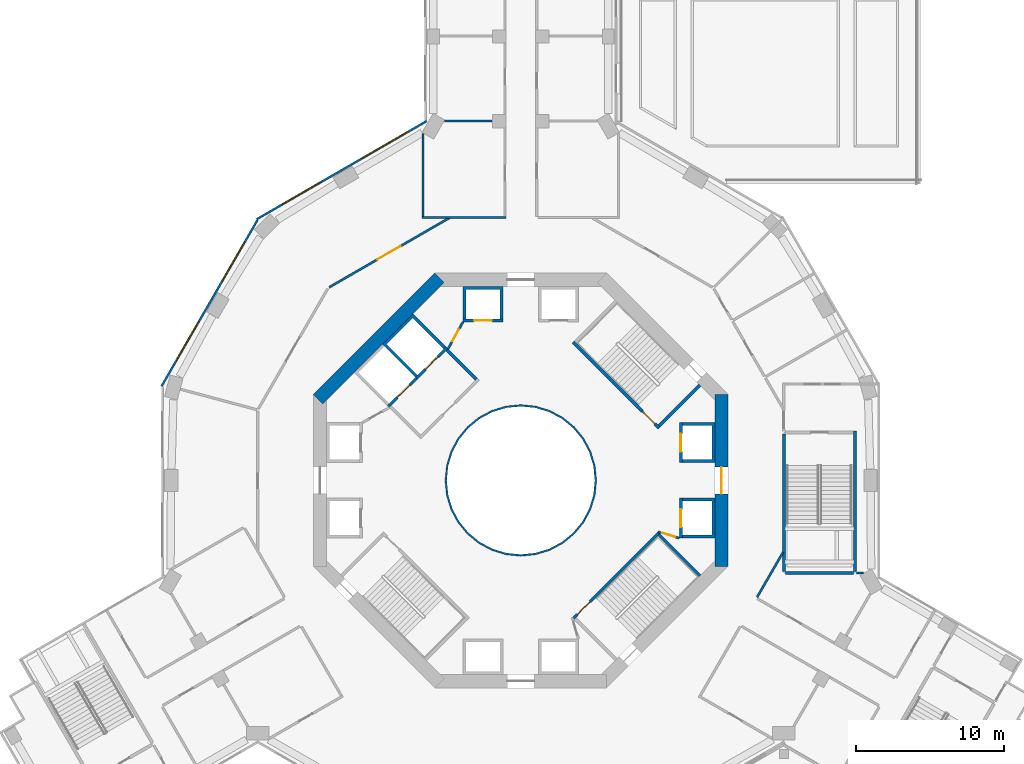
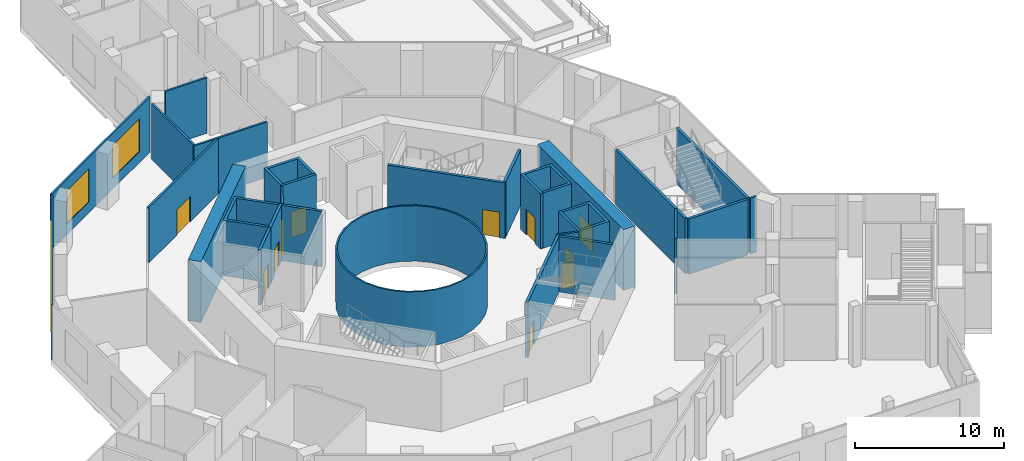
# One storey, part 6 of 24: 30 walls, 11 doors, 4 windows, 15 openings.
"""IFC4 building model written with IfcOpenShell, lengths in metres."""

from ifc_helpers import new_model, si_unit, direction, frame, frame_2d, origin, place, context, subcontext, project, spatial, polyline, rectangle, outline, extrude, material, layer, layer_set, type_object, element, fill, save


model = new_model("IFC4")

# Units and contexts
model_context = context("Model", 3, precision=1e-05, world=origin(), true_north=direction((0.0, 1.0)))
body_context = subcontext(model_context, "Body", "Model", "MODEL_VIEW")
ifc_project = project(units=[si_unit("LENGTHUNIT", "METRE"), si_unit("AREAUNIT", "SQUARE_METRE"), si_unit("VOLUMEUNIT", "CUBIC_METRE"), si_unit("PLANEANGLEUNIT", "RADIAN"), si_unit("MASSUNIT", "GRAM", prefix="KILO")], contexts=[model_context])

# Site, building, storey
site_placement = place(None, origin())
site = spatial("IfcSite", under=ifc_project, at=site_placement, CompositionType="ELEMENT")
building_placement = place(site_placement, origin())
building = spatial("IfcBuilding", under=site, at=building_placement, Name="Verdalira Terraces Hotel", CompositionType="ELEMENT")
storey_placement = place(building_placement, frame((0.0, 0.0, 14.0)))
storey = spatial("IfcBuildingStorey", under=building, at=storey_placement, Name="L02", CompositionType="ELEMENT", Elevation=14.0)

# Walls
ifc_material_1 = material(Name="Fire-resisting glass EI 180", Category="glass")
ifc_layer_1 = layer(ifc_material_1, 0.1201171875)
ifc_layer_set_1 = layer_set([ifc_layer_1], Name="Atrium fire screen 120 mm")
wall_type_1 = type_object("IfcWallType", Name="Atrium fire screen 120 mm", PredefinedType="SOLIDWALL", material=ifc_layer_set_1)
wall_1_placement = place(storey_placement, origin())
element("IfcWall", 1, at=wall_1_placement, inside=storey, type_object=wall_type_1, Name="Atrium fire screen", PredefinedType="SOLIDWALL", context=body_context, shape_type="SweptSolid", body=[
    extrude(outline(polyline([(5.021484, -0.998779), (4.730225, -1.959229), (4.25708, -2.844482), (3.620361, -3.620361), (2.844482, -4.25708), (1.959229, -4.730225), (0.998779, -5.021484), (0.0, -5.120117), (-0.998779, -5.021484), (-1.959229, -4.730225), (-2.844482, -4.25708), (-3.620361, -3.620361), (-4.25708, -2.844482), (-4.730225, -1.959229), (-5.021484, -0.998779), (-5.120117, 0.0), (-5.021484, 0.998779), (-4.730225, 1.959229), (-4.25708, 2.844482), (-3.620361, 3.620361), (-2.844482, 4.25708), (-1.959229, 4.730225), (-0.998779, 5.021484), (0.0, 5.120117), (0.998779, 5.021484), (1.959229, 4.730225), (2.844482, 4.25708), (3.620361, 3.620361), (4.25708, 2.844482), (4.730225, 1.959229), (5.021484, 0.998779), (5.120117, 0.0), (5.021484, -0.998779)]), holes=[polyline([(4.903809, 0.975586), (4.619385, 1.91333), (4.157227, 2.777832), (3.5354, 3.5354), (2.777832, 4.157227), (1.91333, 4.619385), (0.975586, 4.903809), (0.0, 5.0), (-0.975586, 4.903809), (-1.91333, 4.619385), (-2.777832, 4.157227), (-3.5354, 3.5354), (-4.157227, 2.777832), (-4.619385, 1.91333), (-4.903809, 0.975586), (-5.0, 0.0), (-4.903809, -0.975586), (-4.619385, -1.91333), (-4.157227, -2.777832), (-3.5354, -3.5354), (-2.777832, -4.157227), (-1.91333, -4.619385), (-0.975586, -4.903809), (0.0, -5.0), (0.975586, -4.903809), (1.91333, -4.619385), (2.777832, -4.157227), (3.5354, -3.5354), (4.157227, -2.777832), (4.619385, -1.91333), (4.903809, -0.975586), (5.0, 0.0), (4.903809, 0.975586)])]), origin(), (0.0, 0.0, 1.0), 4.550049),
])
ifc_material_2 = material(Name="Concrete C50", Category="concrete")
ifc_layer_2 = layer(ifc_material_2, 0.199951171875)
ifc_layer_set_2 = layer_set([ifc_layer_2], Name="Core RC wall 200 C50")
wall_type_2 = type_object("IfcWallType", Name="Core RC wall 200 C50", PredefinedType="SOLIDWALL", material=ifc_layer_set_2)
wall_2_placement = place(storey_placement, origin())
element("IfcWall", 2, at=wall_2_placement, inside=storey, type_object=wall_type_2, Name="L02 shaft wall E1", PredefinedType="SOLIDWALL", context=body_context, shape_type="SweptSolid", body=[
    extrude(outline(polyline([(13.100098, -3.899902), (10.899902, -3.899902), (10.899902, -3.699951), (12.899902, -3.699951), (12.899902, -1.399902), (10.899902, -1.399902), (10.899902, -1.199951), (13.100098, -1.199951), (13.100098, -3.899902)])), origin(), (0.0, 0.0, 1.0), 4.550049),
])

# Wall, opening, door
wall_3_placement = place(storey_placement, frame((10.800049, -1.199951, 0.0), z_axis=(0.0, 0.0, 1.0), x_axis=(0.0, -1.0, 0.0)))
wall_3 = element("IfcWall", 3, at=wall_3_placement, inside=storey, type_object=wall_type_2, Name="L02 shaft front wall E1", PredefinedType="SOLIDWALL", context=body_context, shape_type="SweptSolid", body=[
    extrude(rectangle(XDim=2.699951, YDim=0.199951, at=frame_2d((1.350098, 0.0))), origin(), (0.0, 0.0, 1.0), 4.550049),
])
opening_1_placement = place(wall_3_placement, frame((0.75, 0.0, 0.0)))
opening_1 = element("IfcOpeningElement", 4, at=opening_1_placement, cuts=wall_3, Name="Opening LD-L02-801", PredefinedType="OPENING", context=body_context, shape_type="SweptSolid", body=[
    extrude(rectangle(XDim=1.199951, YDim=2.100098, at=frame_2d((0.600098, 1.050049))), frame((0.0, 0.109863, 0.0), z_axis=(0.0, -1.0, 0.0), x_axis=(1.0, 0.0, 0.0)), (0.0, 0.0, 1.0), 0.219971),
])
ifc_material_3 = material(Name="Stainless steel", Category="steel")
door_type_1 = type_object("IfcDoorType", Name="Landing door 1200 x 2100", OperationType="NOTDEFINED", PredefinedType="DOOR", material=ifc_material_3)
door_1_placement = place(opening_1_placement, origin())
door_1 = element("IfcDoor", 5, at=door_1_placement, inside=storey, type_object=door_type_1, Name="Lift landing door LR1 L02", OperationType="DOUBLE_DOOR_SLIDING", OverallHeight=2.10009765625, OverallWidth=1.199951171875, PredefinedType="DOOR", context=body_context, shape_type="SweptSolid", body=[
    extrude(rectangle(XDim=1.199951, YDim=2.100098, at=frame_2d((0.600098, 1.050049))), frame((0.0, 0.024902, 0.0), z_axis=(0.0, -1.0, 0.0), x_axis=(1.0, 0.0, 0.0)), (0.0, 0.0, 1.0), 0.050049),
])
fill(opening_1, door_1)

# Wall
wall_4_placement = place(storey_placement, origin())
element("IfcWall", 6, at=wall_4_placement, inside=storey, type_object=wall_type_2, Name="L02 shaft wall E2", PredefinedType="SOLIDWALL", context=body_context, shape_type="SweptSolid", body=[
    extrude(outline(polyline([(13.100098, 3.899902), (13.100098, 1.199951), (10.899902, 1.199951), (10.899902, 1.399902), (12.899902, 1.399902), (12.899902, 3.699951), (10.899902, 3.699951), (10.899902, 3.899902), (13.100098, 3.899902)])), origin(), (0.0, 0.0, 1.0), 4.550049),
])

# Wall, opening, door
wall_5_placement = place(storey_placement, frame((10.800049, 1.199951, 0.0), z_axis=(0.0, 0.0, 1.0), x_axis=(0.0, 1.0, 0.0)))
wall_5 = element("IfcWall", 7, at=wall_5_placement, inside=storey, type_object=wall_type_2, Name="L02 shaft front wall E2", PredefinedType="SOLIDWALL", context=body_context, shape_type="SweptSolid", body=[
    extrude(rectangle(XDim=2.699951, YDim=0.199951, at=frame_2d((1.350098, 0.0))), origin(), (0.0, 0.0, 1.0), 4.550049),
])
opening_2_placement = place(wall_5_placement, frame((0.75, 0.0, 0.0)))
opening_2 = element("IfcOpeningElement", 8, at=opening_2_placement, cuts=wall_5, Name="Opening LD-L02-802", PredefinedType="OPENING", context=body_context, shape_type="SweptSolid", body=[
    extrude(rectangle(XDim=1.199951, YDim=2.100098, at=frame_2d((0.600098, 1.050049))), frame((0.0, 0.109863, 0.0), z_axis=(0.0, -1.0, 0.0), x_axis=(1.0, 0.0, 0.0)), (0.0, 0.0, 1.0), 0.219971),
])
door_2_placement = place(opening_2_placement, origin())
door_2 = element("IfcDoor", 9, at=door_2_placement, inside=storey, type_object=door_type_1, Name="Lift landing door LR2 L02", OperationType="DOUBLE_DOOR_SLIDING", OverallHeight=2.10009765625, OverallWidth=1.199951171875, PredefinedType="DOOR", context=body_context, shape_type="SweptSolid", body=[
    extrude(rectangle(XDim=1.199951, YDim=2.100098, at=frame_2d((0.600098, 1.050049))), frame((0.0, 0.024902, 0.0), z_axis=(0.0, -1.0, 0.0), x_axis=(1.0, 0.0, 0.0)), (0.0, 0.0, 1.0), 0.050049),
])
fill(opening_2, door_2)

# Wall
wall_6_placement = place(storey_placement, origin())
element("IfcWall", 10, at=wall_6_placement, inside=storey, type_object=wall_type_2, Name="L02 shaft wall N2", PredefinedType="SOLIDWALL", context=body_context, shape_type="SweptSolid", body=[
    extrude(outline(polyline([(-3.899902, 10.899902), (-3.899902, 13.100098), (-1.199951, 13.100098), (-1.199951, 10.899902), (-1.399902, 10.899902), (-1.399902, 12.899902), (-3.699951, 12.899902), (-3.699951, 10.899902), (-3.899902, 10.899902)])), origin(), (0.0, 0.0, 1.0), 4.550049),
])

# Wall, opening, door
wall_7_placement = place(storey_placement, frame((-1.199951, 10.800049, 0.0), z_axis=(0.0, 0.0, 1.0), x_axis=(-1.0, 0.0, 0.0)))
wall_7 = element("IfcWall", 11, at=wall_7_placement, inside=storey, type_object=wall_type_2, Name="L02 shaft front wall N2", PredefinedType="SOLIDWALL", context=body_context, shape_type="SweptSolid", body=[
    extrude(rectangle(XDim=2.699951, YDim=0.199951, at=frame_2d((1.350098, 0.0))), origin(), (0.0, 0.0, 1.0), 4.550049),
])
opening_3_placement = place(wall_7_placement, frame((0.75, 0.0, 0.0)))
opening_3 = element("IfcOpeningElement", 12, at=opening_3_placement, cuts=wall_7, Name="Opening LD-L02-804", PredefinedType="OPENING", context=body_context, shape_type="SweptSolid", body=[
    extrude(rectangle(XDim=1.199951, YDim=2.100098, at=frame_2d((0.600098, 1.050049))), frame((0.0, 0.109863, 0.0), z_axis=(0.0, -1.0, 0.0), x_axis=(1.0, 0.0, 0.0)), (0.0, 0.0, 1.0), 0.219971),
])
door_3_placement = place(opening_3_placement, origin())
door_3 = element("IfcDoor", 13, at=door_3_placement, inside=storey, type_object=door_type_1, Name="Lift landing door LR4 L02", OperationType="DOUBLE_DOOR_SLIDING", OverallHeight=2.10009765625, OverallWidth=1.199951171875, PredefinedType="DOOR", context=body_context, shape_type="SweptSolid", body=[
    extrude(rectangle(XDim=1.199951, YDim=2.100098, at=frame_2d((0.600098, 1.050049))), frame((0.0, 0.024902, 0.0), z_axis=(0.0, -1.0, 0.0), x_axis=(1.0, 0.0, 0.0)), (0.0, 0.0, 1.0), 0.050049),
])
fill(opening_3, door_3)

# Wall
wall_8_placement = place(storey_placement, origin())
element("IfcWall", 14, at=wall_8_placement, inside=storey, type_object=wall_type_2, Name="L02 shaft wall F1", PredefinedType="SOLIDWALL", context=body_context, shape_type="SweptSolid", body=[
    extrude(outline(polyline([(-9.33374, 9.192383), (-7.283203, 11.24292), (-5.055908, 9.015625), (-5.197266, 8.874268), (-7.283203, 10.960205), (-9.051025, 9.192383), (-6.965088, 7.106445), (-7.106445, 6.965088), (-9.33374, 9.192383)])), origin(), (0.0, 0.0, 1.0), 4.550049),
])

# Wall, opening, door
wall_9_placement = place(storey_placement, frame((-4.985107, 8.944824, 0.0), z_axis=(0.0, 0.0, 1.0), x_axis=(-0.707106781, -0.707106781, 0.0)))
wall_9 = element("IfcWall", 15, at=wall_9_placement, inside=storey, type_object=wall_type_2, Name="L02 shaft front wall F1", PredefinedType="SOLIDWALL", context=body_context, shape_type="SweptSolid", body=[
    extrude(rectangle(XDim=2.899902, YDim=0.199951, at=frame_2d((1.449951, 0.0))), origin(), (0.0, 0.0, 1.0), 4.550049),
])
opening_4_placement = place(wall_9_placement, frame((0.850098, 0.0, 0.0)))
opening_4 = element("IfcOpeningElement", 16, at=opening_4_placement, cuts=wall_9, Name="Opening LD-L02-807", PredefinedType="OPENING", context=body_context, shape_type="SweptSolid", body=[
    extrude(rectangle(XDim=1.199951, YDim=2.100098, at=frame_2d((0.600098, 1.050049))), frame((0.0, 0.109863, 0.0), z_axis=(0.0, -1.0, 0.0), x_axis=(1.0, 0.0, 0.0)), (0.0, 0.0, 1.0), 0.219971),
])
door_4_placement = place(opening_4_placement, origin())
door_4 = element("IfcDoor", 17, at=door_4_placement, inside=storey, type_object=door_type_1, Name="Lift landing door LF11 L02", OperationType="DOUBLE_DOOR_SLIDING", OverallHeight=2.10009765625, OverallWidth=1.199951171875, PredefinedType="DOOR", context=body_context, shape_type="SweptSolid", body=[
    extrude(rectangle(XDim=1.199951, YDim=2.100098, at=frame_2d((0.600098, 1.050049))), frame((0.0, 0.024902, 0.0), z_axis=(0.0, -1.0, 0.0), x_axis=(1.0, 0.0, 0.0)), (0.0, 0.0, 1.0), 0.050049),
])
fill(opening_4, door_4)

wall_10_placement = place(storey_placement, frame((-7.035645, 6.894287, 0.0), z_axis=(0.0, 0.0, 1.0), x_axis=(-0.707106781, -0.707106781, 0.0)))
wall_10 = element("IfcWall", 18, at=wall_10_placement, inside=storey, type_object=wall_type_2, Name="L02 shaft front wall F2", PredefinedType="SOLIDWALL", context=body_context, shape_type="SweptSolid", body=[
    extrude(rectangle(XDim=2.699951, YDim=0.199951, at=frame_2d((1.350098, 0.0))), origin(), (0.0, 0.0, 1.0), 4.550049),
])
opening_5_placement = place(wall_10_placement, frame((0.649902, 0.0, 0.0)))
opening_5 = element("IfcOpeningElement", 19, at=opening_5_placement, cuts=wall_10, Name="Opening LD-L02-808", PredefinedType="OPENING", context=body_context, shape_type="SweptSolid", body=[
    extrude(rectangle(XDim=1.199951, YDim=2.100098, at=frame_2d((0.600098, 1.050049))), frame((0.0, 0.109863, 0.0), z_axis=(0.0, -1.0, 0.0), x_axis=(1.0, 0.0, 0.0)), (0.0, 0.0, 1.0), 0.219971),
])
door_5_placement = place(opening_5_placement, origin())
door_5 = element("IfcDoor", 20, at=door_5_placement, inside=storey, type_object=door_type_1, Name="Lift landing door LF12 L02", OperationType="DOUBLE_DOOR_SLIDING", OverallHeight=2.10009765625, OverallWidth=1.199951171875, PredefinedType="DOOR", context=body_context, shape_type="SweptSolid", body=[
    extrude(rectangle(XDim=1.199951, YDim=2.100098, at=frame_2d((0.600098, 1.050049))), frame((0.0, 0.024902, 0.0), z_axis=(0.0, -1.0, 0.0), x_axis=(1.0, 0.0, 0.0)), (0.0, 0.0, 1.0), 0.050049),
])
fill(opening_5, door_5)

wall_11_placement = place(storey_placement, frame((3.5354, 9.33374, 0.0), z_axis=(0.0, 0.0, 1.0), x_axis=(0.707106781, -0.707106781, 0.0)))
wall_11 = element("IfcWall", 21, at=wall_11_placement, inside=storey, type_object=wall_type_2, Name="L02 stair ST1 front wall", PredefinedType="SOLIDWALL", context=body_context, shape_type="SweptSolid", body=[
    extrude(rectangle(XDim=8.200195, YDim=0.199951, at=frame_2d((4.100098, 0.0))), origin(), (0.0, 0.0, 1.0), 4.550049),
])
opening_6_placement = place(wall_11_placement, frame((6.600098, 0.0, 0.0)))
opening_6 = element("IfcOpeningElement", 22, at=opening_6_placement, cuts=wall_11, Name="Opening L02-809", PredefinedType="OPENING", context=body_context, shape_type="SweptSolid", body=[
    extrude(rectangle(XDim=1.199951, YDim=2.100098, at=frame_2d((0.600098, 1.050049))), frame((0.0, 0.109863, 0.0), z_axis=(0.0, -1.0, 0.0), x_axis=(1.0, 0.0, 0.0)), (0.0, 0.0, 1.0), 0.219971),
])
ifc_material_4 = material(Name="Steel fire door", Category="steel")
door_type_2 = type_object("IfcDoorType", Name="Stair door 1200 x 2100", OperationType="NOTDEFINED", PredefinedType="DOOR", material=ifc_material_4)
door_6_placement = place(opening_6_placement, origin())
door_6 = element("IfcDoor", 23, at=door_6_placement, inside=storey, type_object=door_type_2, Name="Stair door ST1 L02", OperationType="SINGLE_SWING_RIGHT", OverallHeight=2.10009765625, OverallWidth=1.199951171875, PredefinedType="DOOR", context=body_context, shape_type="SweptSolid", body=[
    extrude(rectangle(XDim=1.199951, YDim=2.100098, at=frame_2d((0.600098, 1.050049))), frame((0.0, 0.024902, 0.0), z_axis=(0.0, -1.0, 0.0), x_axis=(1.0, 0.0, 0.0)), (0.0, 0.0, 1.0), 0.050049),
])
fill(opening_6, door_6)

# Wall
wall_12_placement = place(storey_placement, frame((9.33374, 3.677002, 0.0), z_axis=(0.0, 0.0, 1.0), x_axis=(0.707106781, 0.707106781, 0.0)))
element("IfcWall", 24, at=wall_12_placement, inside=storey, type_object=wall_type_2, Name="L02 stair ST1 end wall 1", PredefinedType="SOLIDWALL", context=body_context, shape_type="SweptSolid", body=[
    extrude(rectangle(XDim=3.900146, YDim=0.199951, at=frame_2d((1.950195, 0.0))), origin(), (0.0, 0.0, 1.0), 4.550049),
])

# Wall, opening, door
wall_13_placement = place(storey_placement, frame((9.33374, -3.5354, 0.0), z_axis=(0.0, 0.0, 1.0), x_axis=(-0.707106781, -0.707106781, 0.0)))
wall_13 = element("IfcWall", 25, at=wall_13_placement, inside=storey, type_object=wall_type_2, Name="L02 stair ST3 front wall", PredefinedType="SOLIDWALL", context=body_context, shape_type="SweptSolid", body=[
    extrude(rectangle(XDim=8.200195, YDim=0.199951, at=frame_2d((4.100098, 0.0))), origin(), (0.0, 0.0, 1.0), 4.550049),
])
opening_7_placement = place(wall_13_placement, frame((6.600098, 0.0, 0.0)))
opening_7 = element("IfcOpeningElement", 26, at=opening_7_placement, cuts=wall_13, Name="Opening L02-811", PredefinedType="OPENING", context=body_context, shape_type="SweptSolid", body=[
    extrude(rectangle(XDim=1.199951, YDim=2.100098, at=frame_2d((0.600098, 1.050049))), frame((0.0, 0.109863, 0.0), z_axis=(0.0, -1.0, 0.0), x_axis=(1.0, 0.0, 0.0)), (0.0, 0.0, 1.0), 0.219971),
])
door_7_placement = place(opening_7_placement, origin())
door_7 = element("IfcDoor", 27, at=door_7_placement, inside=storey, type_object=door_type_2, Name="Stair door ST3 L02", OperationType="SINGLE_SWING_RIGHT", OverallHeight=2.10009765625, OverallWidth=1.199951171875, PredefinedType="DOOR", context=body_context, shape_type="SweptSolid", body=[
    extrude(rectangle(XDim=1.199951, YDim=2.100098, at=frame_2d((0.600098, 1.050049))), frame((0.0, 0.024902, 0.0), z_axis=(0.0, -1.0, 0.0), x_axis=(1.0, 0.0, 0.0)), (0.0, 0.0, 1.0), 0.050049),
])
fill(opening_7, door_7)

# Walls
wall_14_placement = place(storey_placement, frame((9.33374, -3.677002, 0.0), z_axis=(0.0, 0.0, 1.0), x_axis=(0.707106781, -0.707106781, 0.0)))
element("IfcWall", 28, at=wall_14_placement, inside=storey, type_object=wall_type_2, Name="L02 stair ST3 end wall 2", PredefinedType="SOLIDWALL", context=body_context, shape_type="SweptSolid", body=[
    extrude(rectangle(XDim=3.900146, YDim=0.199951, at=frame_2d((1.950195, 0.0))), origin(), (0.0, 0.0, 1.0), 4.550049),
])
wall_15_placement = place(storey_placement, frame((-3.005127, 6.823486, 0.0), z_axis=(0.0, 0.0, 1.0), x_axis=(-0.707106781, 0.707106781, 0.0)))
element("IfcWall", 29, at=wall_15_placement, inside=storey, type_object=wall_type_2, Name="L02 fire lobby wall", PredefinedType="SOLIDWALL", context=body_context, shape_type="SweptSolid", body=[
    extrude(rectangle(XDim=2.800049, YDim=0.199951, at=frame_2d((1.399902, 0.0))), origin(), (0.0, 0.0, 1.0), 4.550049),
])

# Wall, opening, door
ifc_material_5 = material(Name="Gypsum board partition")
ifc_layer_3 = layer(ifc_material_5, 0.14990234375)
ifc_layer_set_3 = layer_set([ifc_layer_3], Name="Core partition 150 mm")
wall_type_3 = type_object("IfcWallType", Name="Core partition 150 mm", PredefinedType="PARTITIONING", material=ifc_layer_set_3)
wall_16_placement = place(storey_placement, frame((-3.899902, 10.699951, 0.0), z_axis=(0.0, 0.0, 1.0), x_axis=(-0.485692555, -0.874129705, 0.0)))
wall_16 = element("IfcWall", 30, at=wall_16_placement, inside=storey, type_object=wall_type_3, Name="Room partition L02", PredefinedType="PARTITIONING", context=body_context, shape_type="SweptSolid", body=[
    extrude(rectangle(XDim=2.088623, YDim=0.149902, at=frame_2d((1.044434, 0.0))), origin(), (0.0, 0.0, 1.0), 4.550049),
])
opening_8_placement = place(wall_16_placement, frame((0.594238, 0.0, 0.0)))
opening_8 = element("IfcOpeningElement", 31, at=opening_8_placement, cuts=wall_16, Name="Opening L02-820", PredefinedType="OPENING", context=body_context, shape_type="SweptSolid", body=[
    extrude(rectangle(XDim=0.899902, YDim=2.100098, at=frame_2d((0.449951, 1.050049))), frame((0.0, 0.084961, 0.0), z_axis=(0.0, -1.0, 0.0), x_axis=(1.0, 0.0, 0.0)), (0.0, 0.0, 1.0), 0.169922),
])
ifc_material_6 = material(Name="Steel fire door", Category="steel")
door_type_3 = type_object("IfcDoorType", Name="Core room door 900 x 2100", OperationType="NOTDEFINED", PredefinedType="DOOR", material=ifc_material_6)
door_8_placement = place(opening_8_placement, origin())
door_8 = element("IfcDoor", 32, at=door_8_placement, inside=storey, type_object=door_type_3, Name="Door L02 room2", OperationType="SINGLE_SWING_LEFT", OverallHeight=2.10009765625, OverallWidth=0.89990234375, PredefinedType="DOOR", context=body_context, shape_type="SweptSolid", body=[
    extrude(rectangle(XDim=0.899902, YDim=2.100098, at=frame_2d((0.449951, 1.050049))), frame((0.0, 0.024902, 0.0), z_axis=(0.0, -1.0, 0.0), x_axis=(1.0, 0.0, 0.0)), (0.0, 0.0, 1.0), 0.050049),
])
fill(opening_8, door_8)

wall_17_placement = place(storey_placement, frame((9.263184, -3.464844, 0.0), z_axis=(0.0, 0.0, 1.0), x_axis=(0.957084567, -0.289808785, 0.0)))
wall_17 = element("IfcWall", 33, at=wall_17_placement, inside=storey, type_object=wall_type_3, Name="Room partition L02", PredefinedType="PARTITIONING", context=body_context, shape_type="SweptSolid", body=[
    extrude(rectangle(XDim=1.501221, YDim=0.149902, at=frame_2d((0.750488, 0.0))), origin(), (0.0, 0.0, 1.0), 4.550049),
])
opening_9_placement = place(wall_17_placement, frame((0.300781, 0.0, 0.0)))
opening_9 = element("IfcOpeningElement", 34, at=opening_9_placement, cuts=wall_17, Name="Opening L02-823", PredefinedType="OPENING", context=body_context, shape_type="SweptSolid", body=[
    extrude(rectangle(XDim=0.899902, YDim=2.100098, at=frame_2d((0.449951, 1.050049))), frame((0.0, 0.084961, 0.0), z_axis=(0.0, -1.0, 0.0), x_axis=(1.0, 0.0, 0.0)), (0.0, 0.0, 1.0), 0.169922),
])
door_9_placement = place(opening_9_placement, origin())
door_9 = element("IfcDoor", 35, at=door_9_placement, inside=storey, type_object=door_type_3, Name="Door L02 room7", OperationType="SINGLE_SWING_LEFT", OverallHeight=2.10009765625, OverallWidth=0.89990234375, PredefinedType="DOOR", context=body_context, shape_type="SweptSolid", body=[
    extrude(rectangle(XDim=0.899902, YDim=2.100098, at=frame_2d((0.449951, 1.050049))), frame((0.0, 0.024902, 0.0), z_axis=(0.0, -1.0, 0.0), x_axis=(1.0, 0.0, 0.0)), (0.0, 0.0, 1.0), 0.050049),
])
fill(opening_9, door_9)

ifc_material_7 = material(Name="Concrete C70", Category="concrete")
ifc_layer_4 = layer(ifc_material_7, 0.89990234375)
ifc_layer_set_4 = layer_set([ifc_layer_4], Name="Core wall 900 C70")
wall_type_4 = type_object("IfcWallType", Name="Core wall 900 C70", PredefinedType="SHEAR", material=ifc_layer_set_4)
wall_18_placement = place(storey_placement, frame((13.550049, -5.799072, 0.0), z_axis=(0.0, 0.0, 1.0), x_axis=(0.0, 1.0, 0.0)))
wall_18 = element("IfcWall", 36, at=wall_18_placement, inside=storey, type_object=wall_type_4, Name="Core wall CW-L02-1", PredefinedType="SHEAR", context=body_context, shape_type="SweptSolid", body=[
    extrude(rectangle(XDim=11.598145, YDim=0.899902, at=frame_2d((5.799072, 0.0))), origin(), (0.0, 0.0, 1.0), 5.0),
])
opening_10_placement = place(wall_18_placement, frame((4.898926, 0.0, 0.0)))
opening_10 = element("IfcOpeningElement", 37, at=opening_10_placement, cuts=wall_18, Name="Opening L02-812", PredefinedType="OPENING", context=body_context, shape_type="SweptSolid", body=[
    extrude(rectangle(XDim=1.800049, YDim=2.100098, at=frame_2d((0.899902, 1.050049))), frame((0.0, 0.459961, 0.0), z_axis=(0.0, -1.0, 0.0), x_axis=(1.0, 0.0, 0.0)), (0.0, 0.0, 1.0), 0.919922),
])
ifc_material_8 = material(Name="Steel fire door", Category="steel")
door_type_4 = type_object("IfcDoorType", Name="Core entry door pair 1800 x 2100", OperationType="NOTDEFINED", PredefinedType="DOOR", material=ifc_material_8)
door_10_placement = place(opening_10_placement, origin())
door_10 = element("IfcDoor", 38, at=door_10_placement, inside=storey, type_object=door_type_4, Name="Core entry door L02 0", OperationType="DOUBLE_DOOR_SINGLE_SWING", OverallHeight=2.10009765625, OverallWidth=1.800048828125, PredefinedType="DOOR", context=body_context, shape_type="SweptSolid", body=[
    extrude(rectangle(XDim=1.800049, YDim=2.100098, at=frame_2d((0.899902, 1.050049))), frame((0.0, 0.024902, 0.0), z_axis=(0.0, -1.0, 0.0), x_axis=(1.0, 0.0, 0.0)), (0.0, 0.0, 1.0), 0.050049),
])
fill(opening_10, door_10)

# Wall
wall_19_placement = place(storey_placement, frame((-5.480713, 13.681885, 0.0), z_axis=(0.0, 0.0, 1.0), x_axis=(-0.707106781, -0.707106781, 0.0)))
element("IfcWall", 39, at=wall_19_placement, inside=storey, type_object=wall_type_4, Name="Core wall CW-L02-4", PredefinedType="SHEAR", context=body_context, shape_type="SweptSolid", body=[
    extrude(rectangle(XDim=11.598145, YDim=0.899902, at=frame_2d((5.799072, 0.0))), origin(), (0.0, 0.0, 1.0), 5.0),
])

# Wall, opening, door
ifc_material_9 = material(Name="Gypsum board partition on steel stud", Category="steel")
ifc_layer_5 = layer(ifc_material_9, 0.14990234375)
ifc_layer_set_5 = layer_set([ifc_layer_5], Name="Fire-rated partition 150 mm")
wall_type_5 = type_object("IfcWallType", Name="Fire-rated partition 150 mm", PredefinedType="PARTITIONING", material=ifc_layer_set_5)
wall_20_placement = place(storey_placement, frame((-4.823242, 17.720703, 0.0), z_axis=(0.0, 0.0, 1.0), x_axis=(-0.866037142, -0.499979668, 0.0)))
wall_20 = element("IfcWall", 40, at=wall_20_placement, inside=storey, type_object=wall_type_5, Name="Partition", PredefinedType="PARTITIONING", context=body_context, shape_type="SweptSolid", body=[
    extrude(rectangle(XDim=9.366699, YDim=0.149902, at=frame_2d((4.68335, 0.0))), origin(), (0.0, 0.0, 1.0), 4.550049),
])
opening_11_placement = place(wall_20_placement, frame((3.81665, 0.0, 0.0)))
opening_11 = element("IfcOpeningElement", 41, at=opening_11_placement, cuts=wall_20, Name="Opening L02-D10", PredefinedType="OPENING", context=body_context, shape_type="SweptSolid", body=[
    extrude(rectangle(XDim=1.800049, YDim=2.100098, at=frame_2d((0.899902, 1.050049))), frame((0.0, 0.084961, 0.0), z_axis=(0.0, -1.0, 0.0), x_axis=(1.0, 0.0, 0.0)), (0.0, 0.0, 1.0), 0.169922),
])
ifc_material_10 = material(Name="Steel fire door", Category="steel")
door_type_5 = type_object("IfcDoorType", Name="Fire door pair 1800 x 2100", OperationType="DOUBLE_DOOR_SINGLE_SWING", PredefinedType="DOOR", material=ifc_material_10)
door_11_placement = place(opening_11_placement, origin())
door_11 = element("IfcDoor", 42, at=door_11_placement, inside=storey, type_object=door_type_5, Name="Ring corridor door", OperationType="DOUBLE_DOOR_SINGLE_SWING", OverallHeight=2.10009765625, OverallWidth=1.800048828125, PredefinedType="DOOR", context=body_context, shape_type="SweptSolid", body=[
    extrude(rectangle(XDim=1.800049, YDim=2.100098, at=frame_2d((0.899902, 1.050049))), frame((0.0, 0.024902, 0.0), z_axis=(0.0, -1.0, 0.0), x_axis=(1.0, 0.0, 0.0)), (0.0, 0.0, 1.0), 0.050049),
])
fill(opening_11, door_11)

# Walls
wall_21_placement = place(storey_placement, frame((-6.675049, 17.758301, 0.0), z_axis=(0.0, 0.0, 1.0), x_axis=(1.0, 0.0, 0.0)))
element("IfcWall", 43, at=wall_21_placement, inside=storey, type_object=wall_type_5, Name="Partition", PredefinedType="PARTITIONING", context=body_context, shape_type="SweptSolid", body=[
    extrude(rectangle(XDim=5.675293, YDim=0.149902, at=frame_2d((2.837646, 0.0))), origin(), (0.0, 0.0, 1.0), 4.550049),
])
wall_22_placement = place(storey_placement, frame((-6.600098, 23.415283, 0.0), z_axis=(0.0, 0.0, 1.0), x_axis=(0.0, -1.0, 0.0)))
element("IfcWall", 44, at=wall_22_placement, inside=storey, type_object=wall_type_5, Name="Partition", PredefinedType="PARTITIONING", context=body_context, shape_type="SweptSolid", body=[
    extrude(rectangle(XDim=5.582031, YDim=0.149902, at=frame_2d((2.791016, 0.0))), origin(), (0.0, 0.0, 1.0), 4.550049),
])
wall_23_placement = place(storey_placement, frame((-1.929932, 24.26001, 0.0), z_axis=(0.0, 0.0, 1.0), x_axis=(-1.0, 0.0, 0.0)))
element("IfcWall", 45, at=wall_23_placement, inside=storey, type_object=wall_type_5, Name="Partition", PredefinedType="PARTITIONING", context=body_context, shape_type="SweptSolid", body=[
    extrude(rectangle(XDim=3.214844, YDim=0.149902, at=frame_2d((1.607422, 0.0))), origin(), (0.0, 0.0, 1.0), 4.550049),
])
wall_24_placement = place(storey_placement, frame((17.708252, -4.844971, 0.0), z_axis=(0.0, 0.0, 1.0), x_axis=(-0.499993523, -0.866029143, 0.0)))
element("IfcWall", 46, at=wall_24_placement, inside=storey, type_object=wall_type_5, Name="Partition", PredefinedType="PARTITIONING", context=body_context, shape_type="SweptSolid", body=[
    extrude(rectangle(XDim=3.508301, YDim=0.149902, at=frame_2d((1.75415, 0.0))), origin(), (0.0, 0.0, 1.0), 4.550049),
])
wall_25_placement = place(storey_placement, frame((22.658203, -6.25, 0.0), z_axis=(0.0, 0.0, 1.0), x_axis=(1.0, 0.0, 0.0)))
element("IfcWall", 47, at=wall_25_placement, inside=storey, type_object=wall_type_5, Name="Partition", PredefinedType="PARTITIONING", context=body_context, shape_type="SweptSolid", body=[
    extrude(rectangle(XDim=0.473145, YDim=0.149902, at=frame_2d((0.236572, 0.0))), origin(), (0.0, 0.0, 1.0), 4.550049),
])
ifc_material_11 = material(Name="Concrete C50", Category="concrete")
ifc_layer_6 = layer(ifc_material_11, 0.199951171875)
ifc_layer_set_6 = layer_set([ifc_layer_6], Name="Stair enclosure wall 200 mm")
wall_type_6 = type_object("IfcWallType", Name="Stair enclosure wall 200 mm", PredefinedType="SOLIDWALL", material=ifc_layer_set_6)
wall_26_placement = place(storey_placement, frame((17.858398, -6.25, 0.0), z_axis=(0.0, 0.0, 1.0), x_axis=(1.0, 0.0, 0.0)))
element("IfcWall", 48, at=wall_26_placement, inside=storey, type_object=wall_type_6, Name="Stair enclosure wall", PredefinedType="SOLIDWALL", context=body_context, shape_type="SweptSolid", body=[
    extrude(rectangle(XDim=4.600098, YDim=0.199951, at=frame_2d((2.300049, 0.0))), origin(), (0.0, 0.0, 1.0), 4.550049),
])
wall_27_placement = place(storey_placement, frame((17.758301, 3.150146, 0.0), z_axis=(0.0, 0.0, 1.0), x_axis=(0.0, -1.0, 0.0)))
element("IfcWall", 49, at=wall_27_placement, inside=storey, type_object=wall_type_6, Name="Stair enclosure wall", PredefinedType="SOLIDWALL", context=body_context, shape_type="SweptSolid", body=[
    extrude(rectangle(XDim=9.300049, YDim=0.199951, at=frame_2d((4.649902, 0.0))), origin(), (0.0, 0.0, 1.0), 4.550049),
])
wall_28_placement = place(storey_placement, frame((22.55835, -6.149902, 0.0), z_axis=(0.0, 0.0, 1.0), x_axis=(0.0, 1.0, 0.0)))
element("IfcWall", 50, at=wall_28_placement, inside=storey, type_object=wall_type_6, Name="Stair enclosure wall", PredefinedType="SOLIDWALL", context=body_context, shape_type="SweptSolid", body=[
    extrude(rectangle(XDim=9.5, YDim=0.199951, at=frame_2d((4.75, 0.0))), origin(), (0.0, 0.0, 1.0), 4.550049),
])

# Wall, openings, windows
ifc_material_12 = material(Name="Terracotta cladding on steel stud backup", Category="masonry")
ifc_layer_7 = layer(ifc_material_12, 0.139892578125)
ifc_layer_set_7 = layer_set([ifc_layer_7], Name="Terracotta clad wall 140 mm")
wall_type_7 = type_object("IfcWallType", Name="Terracotta clad wall 140 mm", PredefinedType="SOLIDWALL", material=ifc_layer_set_7)
wall_29_placement = place(storey_placement, frame((-6.360107, 24.258301, 0.0), z_axis=(0.0, 0.0, 1.0), x_axis=(-0.866029009, -0.499993756, 0.0)))
wall_29 = element("IfcWall", 51, at=wall_29_placement, inside=storey, type_object=wall_type_7, Name="Podium facade wall", PredefinedType="SOLIDWALL", context=body_context, shape_type="SweptSolid", body=[
    extrude(rectangle(XDim=13.242432, YDim=0.139893, at=frame_2d((6.621094, 0.0))), origin(), (0.0, 0.0, 1.0), 4.550049),
])
opening_12_placement = place(wall_29_placement, frame((1.460205, 0.0, 0.899902)))
opening_12 = element("IfcOpeningElement", 52, at=opening_12_placement, cuts=wall_29, Name="Opening WP", PredefinedType="OPENING", context=body_context, shape_type="SweptSolid", body=[
    extrude(rectangle(XDim=3.600098, YDim=2.699951, at=frame_2d((1.800049, 1.350098))), frame((0.0, 0.079834, 0.0), z_axis=(0.0, -1.0, 0.0), x_axis=(1.0, 0.0, 0.0)), (0.0, 0.0, 1.0), 0.159912),
])
opening_13_placement = place(wall_29_placement, frame((8.2146, 0.0, 0.899902)))
opening_13 = element("IfcOpeningElement", 53, at=opening_13_placement, cuts=wall_29, Name="Opening WP", PredefinedType="OPENING", context=body_context, shape_type="SweptSolid", body=[
    extrude(rectangle(XDim=3.0, YDim=2.699951, at=frame_2d((1.5, 1.350098))), frame((0.0, 0.079834, 0.0), z_axis=(0.0, -1.0, 0.0), x_axis=(1.0, 0.0, 0.0)), (0.0, 0.0, 1.0), 0.159912),
])
ifc_material_13 = material(Name="Clear double glazing in aluminium frame", Category="aluminium")
window_type_1 = type_object("IfcWindowType", Name="Podium window 3000 x 2700", PartitioningType="SINGLE_PANEL", PredefinedType="WINDOW", material=ifc_material_13)
window_1_placement = place(opening_13_placement, origin())
window_1 = element("IfcWindow", 54, at=window_1_placement, inside=storey, type_object=window_type_1, Name="Podium window", OverallHeight=2.699951171875, OverallWidth=3.0, PartitioningType="SINGLE_PANEL", PredefinedType="WINDOW", context=body_context, shape_type="SweptSolid", body=[
    extrude(rectangle(XDim=3.0, YDim=2.699951, at=frame_2d((1.5, 1.350098))), frame((0.0, 0.030029, 0.0), z_axis=(0.0, -1.0, 0.0), x_axis=(1.0, 0.0, 0.0)), (0.0, 0.0, 1.0), 0.060059),
])
fill(opening_13, window_1)
ifc_material_14 = material(Name="Clear double glazing in aluminium frame", Category="aluminium")
window_type_2 = type_object("IfcWindowType", Name="Podium window 3600 x 2700", PartitioningType="SINGLE_PANEL", PredefinedType="WINDOW", material=ifc_material_14)
window_2_placement = place(opening_12_placement, origin())
window_2 = element("IfcWindow", 55, at=window_2_placement, inside=storey, type_object=window_type_2, Name="Podium window", OverallHeight=2.699951171875, OverallWidth=3.60009765625, PartitioningType="SINGLE_PANEL", PredefinedType="WINDOW", context=body_context, shape_type="SweptSolid", body=[
    extrude(rectangle(XDim=3.600098, YDim=2.699951, at=frame_2d((1.800049, 1.350098))), frame((0.0, 0.030029, 0.0), z_axis=(0.0, -1.0, 0.0), x_axis=(1.0, 0.0, 0.0)), (0.0, 0.0, 1.0), 0.060059),
])
fill(opening_12, window_2)

wall_30_placement = place(storey_placement, frame((-17.7771, 17.585693, 0.0), z_axis=(0.0, 0.0, 1.0), x_axis=(-0.500006139, -0.866021859, 0.0)))
wall_30 = element("IfcWall", 56, at=wall_30_placement, inside=storey, type_object=wall_type_7, Name="Podium facade wall", PredefinedType="SOLIDWALL", context=body_context, shape_type="SweptSolid", body=[
    extrude(rectangle(XDim=12.962158, YDim=0.139893, at=frame_2d((6.480957, 0.0))), origin(), (0.0, 0.0, 1.0), 4.550049),
])
opening_14_placement = place(wall_30_placement, frame((1.747803, 0.0, 0.899902)))
opening_14 = element("IfcOpeningElement", 57, at=opening_14_placement, cuts=wall_30, Name="Opening WP", PredefinedType="OPENING", context=body_context, shape_type="SweptSolid", body=[
    extrude(rectangle(XDim=3.0, YDim=2.699951, at=frame_2d((1.5, 1.350098))), frame((0.0, 0.079834, 0.0), z_axis=(0.0, -1.0, 0.0), x_axis=(1.0, 0.0, 0.0)), (0.0, 0.0, 1.0), 0.159912),
])
opening_15_placement = place(wall_30_placement, frame((7.93457, 0.0, 0.899902)))
opening_15 = element("IfcOpeningElement", 58, at=opening_15_placement, cuts=wall_30, Name="Opening WP", PredefinedType="OPENING", context=body_context, shape_type="SweptSolid", body=[
    extrude(rectangle(XDim=3.0, YDim=2.699951, at=frame_2d((1.5, 1.350098))), frame((0.0, 0.079834, 0.0), z_axis=(0.0, -1.0, 0.0), x_axis=(1.0, 0.0, 0.0)), (0.0, 0.0, 1.0), 0.159912),
])
window_3_placement = place(opening_14_placement, origin())
window_3 = element("IfcWindow", 59, at=window_3_placement, inside=storey, type_object=window_type_1, Name="Podium window", OverallHeight=2.699951171875, OverallWidth=3.0, PartitioningType="SINGLE_PANEL", PredefinedType="WINDOW", context=body_context, shape_type="SweptSolid", body=[
    extrude(rectangle(XDim=3.0, YDim=2.699951, at=frame_2d((1.5, 1.350098))), frame((0.0, 0.030029, 0.0), z_axis=(0.0, -1.0, 0.0), x_axis=(1.0, 0.0, 0.0)), (0.0, 0.0, 1.0), 0.060059),
])
fill(opening_14, window_3)
window_4_placement = place(opening_15_placement, origin())
window_4 = element("IfcWindow", 60, at=window_4_placement, inside=storey, type_object=window_type_1, Name="Podium window", OverallHeight=2.699951171875, OverallWidth=3.0, PartitioningType="SINGLE_PANEL", PredefinedType="WINDOW", context=body_context, shape_type="SweptSolid", body=[
    extrude(rectangle(XDim=3.0, YDim=2.699951, at=frame_2d((1.5, 1.350098))), frame((0.0, 0.030029, 0.0), z_axis=(0.0, -1.0, 0.0), x_axis=(1.0, 0.0, 0.0)), (0.0, 0.0, 1.0), 0.060059),
])
fill(opening_15, window_4)

save(model, "model.ifc")
